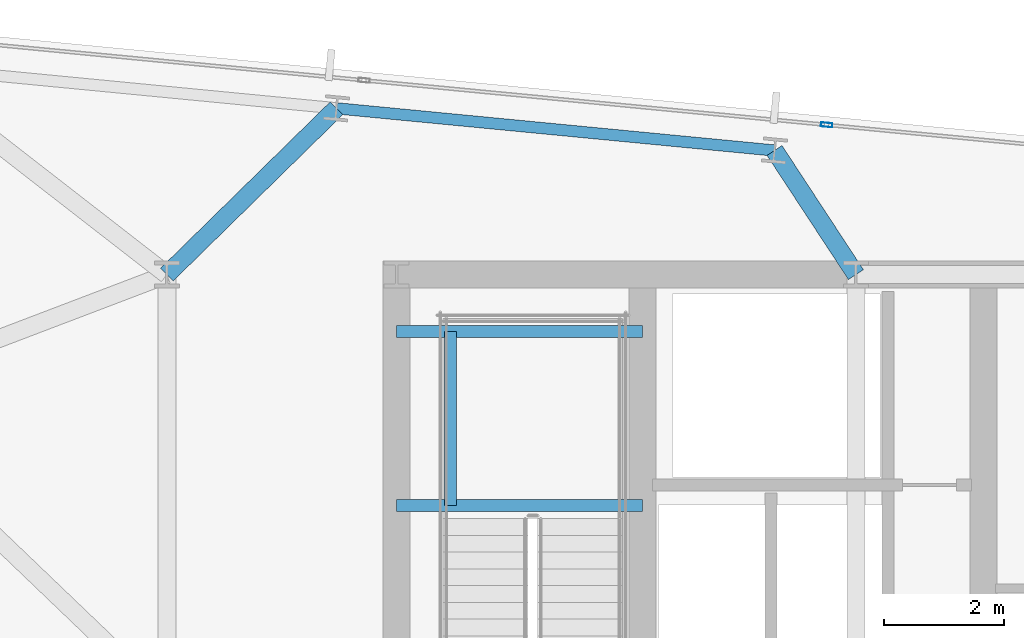
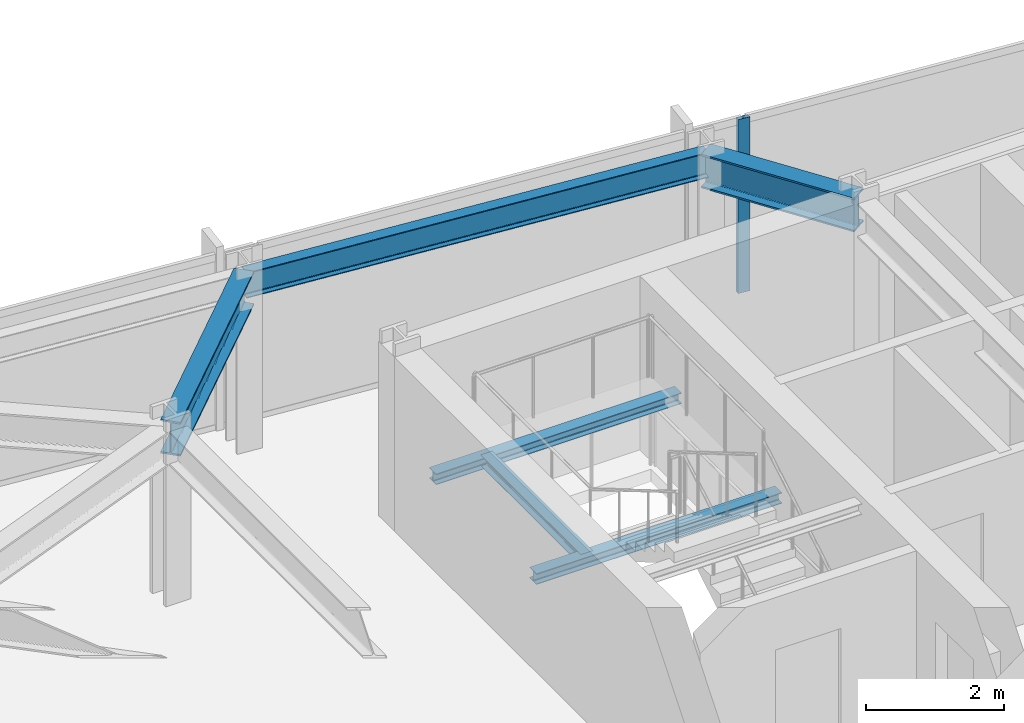
# One storey, part 24 of 36: 6 beams, 1 member, 1 element without a shape of its own.
"""IFC4 building model written with IfcOpenShell, lengths in metres."""

from ifc_helpers import new_model, si_unit, direction, frame, origin, origin_2d, place, context, subcontext, project, spatial, hollow_rectangle, i_section, extrude, material, material_profile, profile_set, type_object, element, aggregate, save


model = new_model("IFC4")

# Units and contexts
model_context = context("Model", 3, precision=1e-05, world=origin(), true_north=direction((0.0, 1.0)))
body_context = subcontext(model_context, "Body", "Model", "MODEL_VIEW")
ifc_project = project(units=[si_unit("LENGTHUNIT", "METRE"), si_unit("AREAUNIT", "SQUARE_METRE"), si_unit("VOLUMEUNIT", "CUBIC_METRE"), si_unit("PLANEANGLEUNIT", "RADIAN"), si_unit("MASSUNIT", "GRAM", prefix="KILO")], contexts=[model_context])

# Site, building, storey
site_placement = place(None, origin())
site = spatial("IfcSite", under=ifc_project, at=site_placement, CompositionType="ELEMENT")
building_placement = place(site_placement, origin())
building = spatial("IfcBuilding", under=site, at=building_placement, Name="Yelkora Congress Tower", CompositionType="ELEMENT")
storey_placement = place(building_placement, frame((0.0, 0.0, 152.300048828125)))
storey = spatial("IfcBuildingStorey", under=building, at=storey_placement, Name="L41", CompositionType="ELEMENT", Elevation=152.300048828125)

# Beams
ifc_material_1 = material(Name="Steel S355J2", Category="steel")
ifc_material_profile_1 = material_profile(ifc_material_1, i_section(OverallWidth=0.300048828125, OverallDepth=0.60009765625, WebThickness=0.015380859375, FlangeThickness=0.030029296875, FilletRadius=0.027099609375, at=origin_2d()), Name="HEB 600")
ifc_profile_set_1 = profile_set([ifc_material_profile_1], Name="Steel S355J2")
beam_type_1 = type_object("IfcBeamType", Name="BM-GIRD-HEB600", PredefinedType="BEAM", material=ifc_profile_set_1)
beam_1_placement = place(storey_placement, frame((22.035400390625, 48.980224609375, 2.780029296875), z_axis=(-0.714019806588, -0.700125500036, 0.0), x_axis=(0.700125500036, -0.714019806588, 0.0)))
element("IfcBeam", 1, at=beam_1_placement, inside=storey, type_object=beam_type_1, Name="L41 Primary Frame Girder N03", PredefinedType="BEAM", context=body_context, shape_type="SweptSolid", body=[
    extrude(i_section(OverallWidth=0.300048828125, OverallDepth=0.60009765625, WebThickness=0.015380859375, FlangeThickness=0.030029296875, FilletRadius=0.027099609375, at=origin_2d()), origin(), (0.0, 0.0, 1.0), 3.97119140625),
])
beam_2_placement = place(storey_placement, frame((29.358642578125, 48.275146484375, 2.780029296875), z_axis=(0.548510321976, -0.8361437835, 0.0), x_axis=(0.8361437835, 0.548510321976, 0.0)))
element("IfcBeam", 2, at=beam_2_placement, inside=storey, type_object=beam_type_1, Name="L41 Primary Frame Girder N04", PredefinedType="BEAM", context=body_context, shape_type="SweptSolid", body=[
    extrude(i_section(OverallWidth=0.300048828125, OverallDepth=0.60009765625, WebThickness=0.015380859375, FlangeThickness=0.030029296875, FilletRadius=0.027099609375, at=origin_2d()), origin(), (0.0, 0.0, 1.0), 2.48193359375),
])
ifc_material_profile_2 = material_profile(ifc_material_1, i_section(OverallWidth=0.199951171875, OverallDepth=0.18994140625, WebThickness=0.006591796875, FlangeThickness=0.010009765625, FilletRadius=0.01806640625, at=origin_2d()), Name="HEA 200")
ifc_profile_set_2 = profile_set([ifc_material_profile_2], Name="Steel S355J2")
beam_type_2 = type_object("IfcBeamType", Name="BM-LAND-HEA200", PredefinedType="BEAM", material=ifc_profile_set_2)
for number, where, z_axis, x_axis, name in (
    (3, (23.0400390625, 42.340087890625, 1.33447265625), (1.0, 0.0, 0.0), (0.0, 1.0, 0.0), "ST-01 L41 Landing Header Beam 1S"),
    (4, (23.0400390625, 45.25, 1.33447265625), (1.0, 0.0, 0.0), (0.0, 1.0, 0.0), "ST-01 L41 Landing Header Beam 1N"),
):
    element("IfcBeam", number, at=place(storey_placement, frame(where, z_axis=z_axis, x_axis=x_axis)), inside=storey, type_object=beam_type_2, Name=name, PredefinedType="BEAM", context=body_context, shape_type="SweptSolid", body=[
        extrude(i_section(OverallWidth=0.199951171875, OverallDepth=0.18994140625, WebThickness=0.006591796875, FlangeThickness=0.010009765625, FilletRadius=0.01806640625, at=origin_2d()), origin(), (0.0, 0.0, 1.0), 4.10986328125),
    ])
beam_3_placement = place(storey_placement, frame((23.93994140625, 42.340087890625, 1.33447265625), z_axis=(0.0, 1.0, 0.0), x_axis=(-1.0, 0.0, 0.0)))
element("IfcBeam", 5, at=beam_3_placement, inside=storey, type_object=beam_type_2, Name="ST-01 L41 Landing Trimmer Beam 1M", PredefinedType="BEAM", context=body_context, shape_type="SweptSolid", body=[
    extrude(i_section(OverallWidth=0.199951171875, OverallDepth=0.18994140625, WebThickness=0.006591796875, FlangeThickness=0.010009765625, FilletRadius=0.01806640625, at=origin_2d()), origin(), (0.0, 0.0, 1.0), 2.909912109375),
])
ifc_material_profile_3 = material_profile(ifc_material_1, i_section(OverallWidth=0.18994140625, OverallDepth=0.449951171875, WebThickness=0.009521484375, FlangeThickness=0.0146484375, FilletRadius=0.02099609375, at=origin_2d()), Name="IPE 450")
ifc_profile_set_3 = profile_set([ifc_material_profile_3], Name="Steel S355J2")
beam_type_3 = type_object("IfcBeamType", Name="BM-SPAN-IPE450", PredefinedType="SPANDREL", material=ifc_profile_set_3)
beam_4_placement = place(storey_placement, frame((29.358642578125, 48.275146484375, 2.85498046875), z_axis=(-0.995397104697, 0.095836339457, 0.0), x_axis=(-0.095836339457, -0.995397104697, 0.0)))
element("IfcBeam", 6, at=beam_4_placement, inside=storey, type_object=beam_type_3, Name="L41 Perimeter Beam 13", PredefinedType="SPANDREL", context=body_context, shape_type="SweptSolid", body=[
    extrude(i_section(OverallWidth=0.18994140625, OverallDepth=0.449951171875, WebThickness=0.009521484375, FlangeThickness=0.0146484375, FilletRadius=0.02099609375, at=origin_2d()), origin(), (0.0, 0.0, 1.0), 7.357177734375),
])

# Curtain wall, member
ifc_material_2 = material(Name="Anodised aluminium and insulated glass", Category="aluminium")
curtain_wall_type = type_object("IfcCurtainWallType", Name="CW-SYS-B3", PredefinedType="NOTDEFINED", material=ifc_material_2)
curtain_wall_placement = place(storey_placement, origin())
curtain_wall = element("IfcCurtainWall", 7, at=curtain_wall_placement, inside=storey, type_object=curtain_wall_type, Name="L41 Unitised Curtain Wall 10 (1)", PredefinedType="NOTDEFINED")
ifc_material_3 = material(Name="Anodised aluminium 6063-T6", Category="aluminium")
ifc_material_profile_4 = material_profile(ifc_material_3, hollow_rectangle(XDim=0.070068359375, YDim=0.18994140625, WallThickness=0.00390625, at=origin_2d()), Name="ALU 70x190x4")
ifc_profile_set_4 = profile_set([ifc_material_profile_4], Name="Anodised aluminium 6063-T6")
member_type = type_object("IfcMemberType", Name="MEM-ML-B3", PredefinedType="MULLION", material=ifc_profile_set_4)
member_placement = place(storey_placement, frame((30.230224609375, 48.70361328125, 0.0), z_axis=(0.0, 0.0, 1.0), x_axis=(0.095844761168, 0.995396293823, 0.0)))
member = element("IfcMember", 8, at=member_placement, type_object=member_type, Name="CW-B3 mullion 4", PredefinedType="MULLION", context=body_context, shape_type="SweptSolid", body=[
    extrude(hollow_rectangle(XDim=0.070068359375, YDim=0.18994140625, WallThickness=0.00390625, at=origin_2d()), origin(), (0.0, 0.0, 1.0), 3.079833984375),
])
aggregate(curtain_wall, [member])

save(model, "model.ifc")
